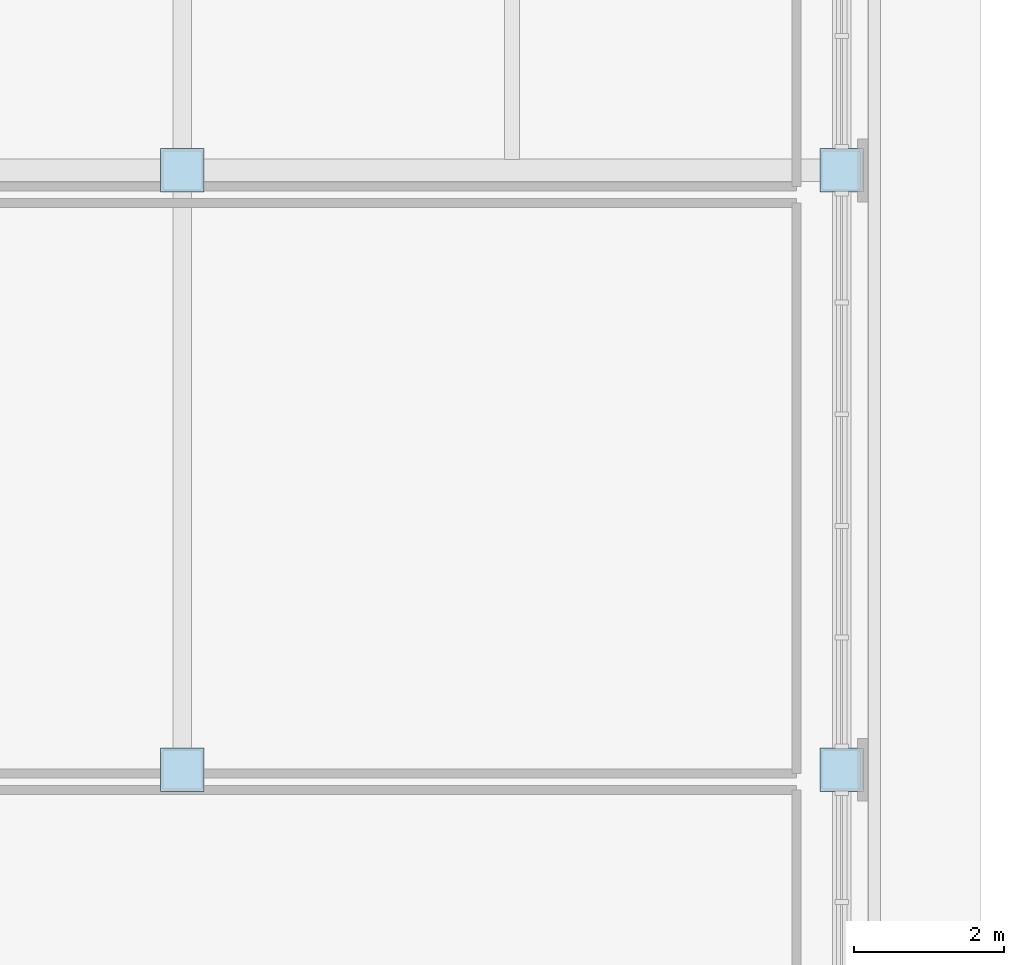
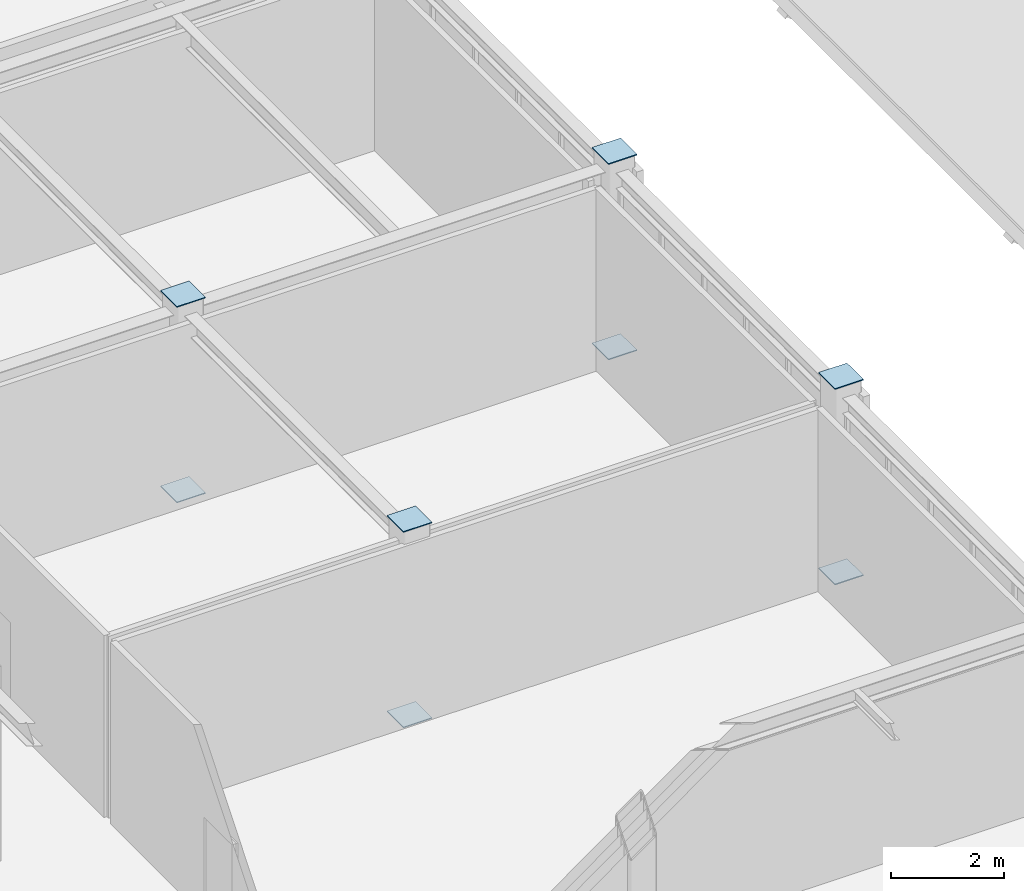
# One storey, part 39 of 64: 8 plates.
"""IFC4 building model written with IfcOpenShell, lengths in metres."""

from ifc_helpers import new_model, si_unit, direction, frame, origin, origin_2d, place, context, subcontext, project, spatial, rectangle, extrude, material, layer, layer_set, type_object, element, save


model = new_model("IFC4")

# Units and contexts
model_context = context("Model", 3, precision=1e-05, world=origin(), true_north=direction((0.0, 1.0)))
body_context = subcontext(model_context, "Body", "Model", "MODEL_VIEW")
ifc_project = project(units=[si_unit("LENGTHUNIT", "METRE"), si_unit("AREAUNIT", "SQUARE_METRE"), si_unit("VOLUMEUNIT", "CUBIC_METRE"), si_unit("PLANEANGLEUNIT", "RADIAN"), si_unit("MASSUNIT", "GRAM", prefix="KILO")], contexts=[model_context])

# Site, building, storey
site_placement = place(None, origin())
site = spatial("IfcSite", under=ifc_project, at=site_placement, CompositionType="ELEMENT")
building_placement = place(site_placement, origin())
building = spatial("IfcBuilding", under=site, at=building_placement, Name="Zhaolan Boulevard Law Courts", CompositionType="ELEMENT")
storey_placement = place(building_placement, frame((0.0, 0.0, 20.39990234375)))
storey = spatial("IfcBuildingStorey", under=building, at=storey_placement, Name="L04", CompositionType="ELEMENT", Elevation=20.39990234375)

# Plates
ifc_material = material(Name="Structural steel Q355B", Category="steel")
ifc_layer = layer(ifc_material, 0.02001953125)
ifc_layer_set = layer_set([ifc_layer])
plate_type = type_object("IfcPlateType", Name="END CAP PLATE 20", PredefinedType="SHEET", material=ifc_layer_set)
for number, where, z_axis, x_axis, name in (
    (1, (35.199951171875, 62.0, -0.017822265625), (0.0, 0.0, 1.0), (1.0, 0.0, 0.0), "Hollow Section End-Cap Plate ECP-0453"),
    (2, (35.199951171875, 62.0, 4.197998046875), (0.0, 0.0, 1.0), (1.0, 0.0, 0.0), "Hollow Section End-Cap Plate ECP-0454"),
    (3, (35.199951171875, 70.0, -0.017822265625), (0.0, 0.0, 1.0), (1.0, 0.0, 0.0), "Hollow Section End-Cap Plate ECP-0475"),
    (4, (35.199951171875, 70.0, 4.197998046875), (0.0, 0.0, 1.0), (1.0, 0.0, 0.0), "Hollow Section End-Cap Plate ECP-0476"),
    (5, (44.0, 62.0, -0.017822265625), (0.0, 0.0, 1.0), (1.0, 0.0, 0.0), "Hollow Section End-Cap Plate ECP-0569"),
    (6, (44.0, 62.0, 4.197998046875), (0.0, 0.0, 1.0), (1.0, 0.0, 0.0), "Hollow Section End-Cap Plate ECP-0570"),
    (7, (44.0, 70.0, -0.017822265625), (0.0, 0.0, 1.0), (1.0, 0.0, 0.0), "Hollow Section End-Cap Plate ECP-0587"),
    (8, (44.0, 70.0, 4.197998046875), (0.0, 0.0, 1.0), (1.0, 0.0, 0.0), "Hollow Section End-Cap Plate ECP-0588"),
):
    element("IfcPlate", number, at=place(storey_placement, frame(where, z_axis=z_axis, x_axis=x_axis)), inside=storey, type_object=plate_type, Name=name, PredefinedType="SHEET", context=body_context, shape_type="SweptSolid", body=[
        extrude(rectangle(XDim=0.580078125, YDim=0.580078125, at=origin_2d()), origin(), (0.0, 0.0, 1.0), 0.02001953125),
    ])

save(model, "model.ifc")
